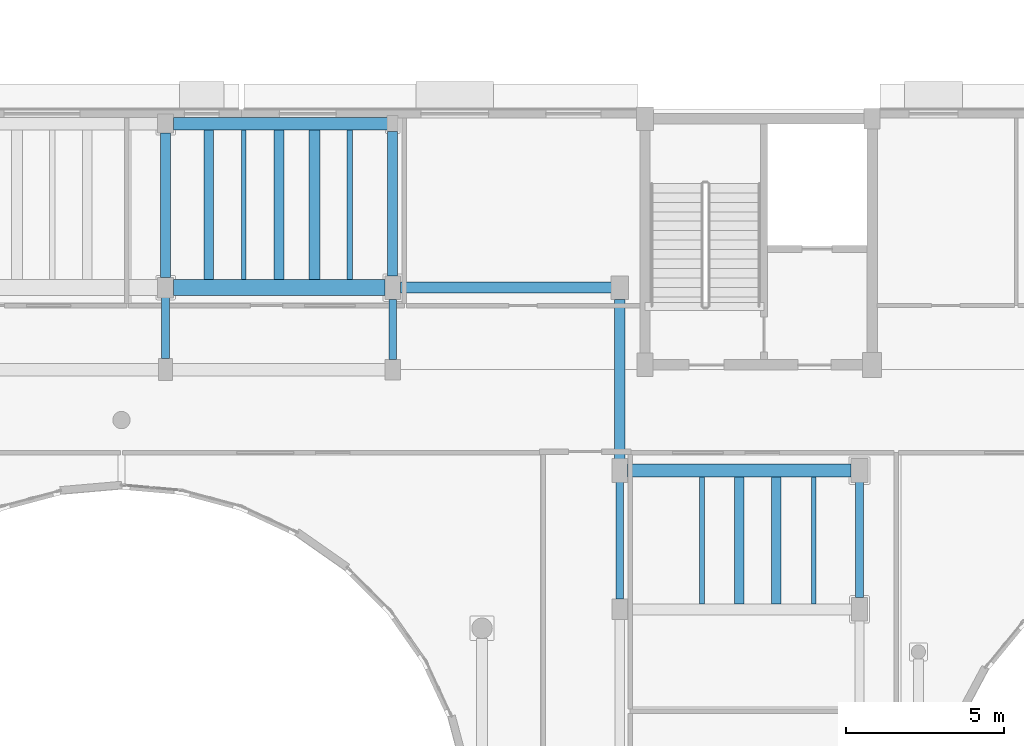
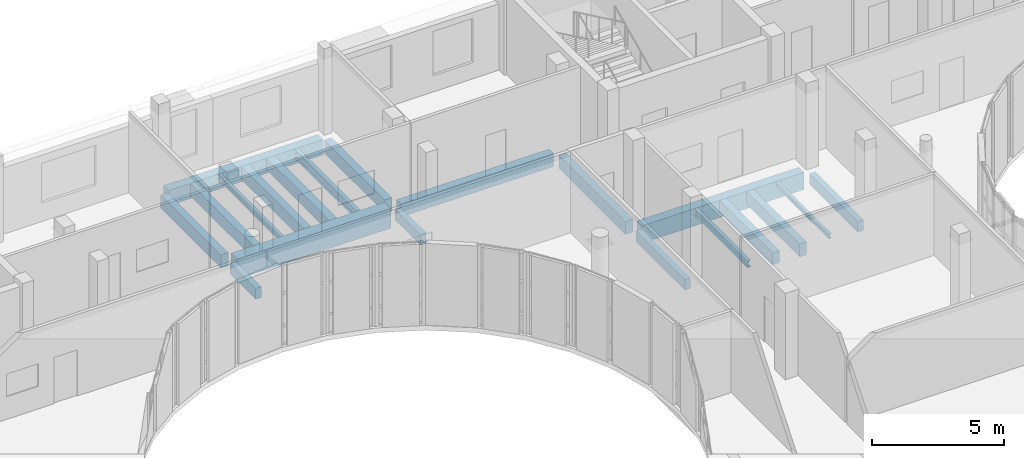
# One storey, part 45 of 105: 20 beams.
"""IFC4 building model written with IfcOpenShell, lengths in metres."""

from ifc_helpers import new_model, si_unit, direction, frame, origin, origin_2d, place, context, subcontext, project, spatial, rectangle, i_section, extrude, material, material_profile, profile_set, type_object, element, save


model = new_model("IFC4")

# Units and contexts
model_context = context("Model", 3, precision=1e-05, world=origin(), true_north=direction((0.0, 1.0)))
body_context = subcontext(model_context, "Body", "Model", "MODEL_VIEW")
ifc_project = project(units=[si_unit("LENGTHUNIT", "METRE"), si_unit("AREAUNIT", "SQUARE_METRE"), si_unit("VOLUMEUNIT", "CUBIC_METRE"), si_unit("PLANEANGLEUNIT", "RADIAN"), si_unit("MASSUNIT", "GRAM", prefix="KILO")], contexts=[model_context])

# Site, building, storey
site_placement = place(None, origin())
site = spatial("IfcSite", under=ifc_project, at=site_placement, CompositionType="ELEMENT")
building_placement = place(site_placement, origin())
building = spatial("IfcBuilding", under=site, at=building_placement, Name="Kelanivale Promenade Academy", CompositionType="ELEMENT")
storey_placement = place(building_placement, frame((0.0, 0.0, 4.199951171875)))
storey = spatial("IfcBuildingStorey", under=building, at=storey_placement, Name="L01", CompositionType="ELEMENT", Elevation=4.199951171875)

# Beams
ifc_material_1 = material(Name="Concrete C35/45", Category="concrete")
ifc_material_profile_1 = material_profile(ifc_material_1, rectangle(XDim=0.39990234375, YDim=0.699951171875, at=origin_2d()), Name="RC-BM 400x700")
ifc_profile_set_1 = profile_set([ifc_material_profile_1], Name="Concrete C35/45")
beam_type_1 = type_object("IfcBeamType", Name="BM-02 RC-BM 400x700", PredefinedType="BEAM", material=ifc_profile_set_1)
beam_1_placement = place(storey_placement, frame((65.044921875, 79.39990234375, -0.570068359375), z_axis=(1.0, 0.0, 0.0), x_axis=(0.0, 1.0, 0.0)))
element("IfcBeam", 1, at=beam_1_placement, inside=storey, type_object=beam_type_1, Name="L01 girder BM-02", PredefinedType="BEAM", context=body_context, shape_type="SweptSolid", body=[
    extrude(rectangle(XDim=0.39990234375, YDim=0.699951171875, at=origin_2d()), origin(), (0.0, 0.0, 1.0), 6.78515625),
])
ifc_material_profile_2 = material_profile(ifc_material_1, rectangle(XDim=0.5, YDim=0.89990234375, at=origin_2d()), Name="RC-BM 500x900")
ifc_profile_set_2 = profile_set([ifc_material_profile_2], Name="Concrete C35/45")
beam_type_2 = type_object("IfcBeamType", Name="BM-08 RC-BM 500x900", PredefinedType="BEAM", material=ifc_profile_set_2)
beam_2_placement = place(storey_placement, frame((65.044921875, 74.199951171875, -0.669921875), z_axis=(1.0, 0.0, 0.0), x_axis=(0.0, 1.0, 0.0)))
element("IfcBeam", 2, at=beam_2_placement, inside=storey, type_object=beam_type_2, Name="L01 girder BM-08", PredefinedType="BEAM", context=body_context, shape_type="SweptSolid", body=[
    extrude(rectangle(XDim=0.5, YDim=0.89990234375, at=origin_2d()), origin(), (0.0, 0.0, 1.0), 6.7099609375),
])
ifc_material_profile_3 = material_profile(ifc_material_1, rectangle(XDim=0.35009765625, YDim=0.60009765625, at=origin_2d()), Name="RC-BM 350x600")
ifc_profile_set_3 = profile_set([ifc_material_profile_3], Name="Concrete C35/45")
beam_type_3 = type_object("IfcBeamType", Name="BM-09 RC-BM 350x600", PredefinedType="BEAM", material=ifc_profile_set_3)
beam_3_placement = place(storey_placement, frame((72.2451171875, 74.199951171875, -0.52001953125), z_axis=(1.0, 0.0, 0.0), x_axis=(0.0, 1.0, 0.0)))
element("IfcBeam", 3, at=beam_3_placement, inside=storey, type_object=beam_type_3, Name="L01 girder BM-09", PredefinedType="BEAM", context=body_context, shape_type="SweptSolid", body=[
    extrude(rectangle(XDim=0.35009765625, YDim=0.60009765625, at=origin_2d()), origin(), (0.0, 0.0, 1.0), 6.684814453125),
])
ifc_material_profile_4 = material_profile(ifc_material_1, rectangle(XDim=0.39990234375, YDim=0.800048828125, at=origin_2d()), Name="RC-BM 400x800")
ifc_profile_set_4 = profile_set([ifc_material_profile_4], Name="Concrete C35/45")
beam_type_4 = type_object("IfcBeamType", Name="BM-14 RC-BM 400x800", PredefinedType="BEAM", material=ifc_profile_set_4)
beam_4_placement = place(storey_placement, frame((79.445068359375, 68.39990234375, -0.619873046875), z_axis=(1.0, 0.0, 0.0), x_axis=(0.0, 1.0, 0.0)))
element("IfcBeam", 4, at=beam_4_placement, inside=storey, type_object=beam_type_4, Name="L01 girder BM-14", PredefinedType="BEAM", context=body_context, shape_type="SweptSolid", body=[
    extrude(rectangle(XDim=0.39990234375, YDim=0.800048828125, at=origin_2d()), origin(), (0.0, 0.0, 1.0), 7.0849609375),
])
ifc_material_profile_5 = material_profile(ifc_material_1, rectangle(XDim=0.300048828125, YDim=0.550048828125, at=origin_2d()), Name="RC-BM 300x550")
ifc_profile_set_5 = profile_set([ifc_material_profile_5], Name="Concrete C35/45")
beam_type_5 = type_object("IfcBeamType", Name="JS-02 RC-BM 300x550", PredefinedType="JOIST", material=ifc_profile_set_5)
beam_5_placement = place(storey_placement, frame((82.987060546875, 64.175048828125, -0.494873046875), z_axis=(0.0, 1.0, 0.0), x_axis=(-1.0, 0.0, 0.0)))
element("IfcBeam", 5, at=beam_5_placement, inside=storey, type_object=beam_type_5, Name="L01 secondary sub-beam JS-02", PredefinedType="JOIST", context=body_context, shape_type="SweptSolid", body=[
    extrude(rectangle(XDim=0.300048828125, YDim=0.550048828125, at=origin_2d()), origin(), (0.0, 0.0, 1.0), 4.02490234375),
])
ifc_material_profile_6 = material_profile(ifc_material_1, rectangle(XDim=0.300048828125, YDim=0.60009765625, at=origin_2d()), Name="RC-BM 300x600")
ifc_profile_set_6 = profile_set([ifc_material_profile_6], Name="Concrete C35/45")
beam_type_6 = type_object("IfcBeamType", Name="JS-03 RC-BM 300x600", PredefinedType="JOIST", material=ifc_profile_set_6)
beam_6_placement = place(storey_placement, frame((84.16796875, 64.175048828125, -0.52001953125), z_axis=(0.0, 1.0, 0.0), x_axis=(-1.0, 0.0, 0.0)))
element("IfcBeam", 6, at=beam_6_placement, inside=storey, type_object=beam_type_6, Name="L01 secondary sub-beam JS-03", PredefinedType="JOIST", context=body_context, shape_type="SweptSolid", body=[
    extrude(rectangle(XDim=0.300048828125, YDim=0.60009765625, at=origin_2d()), origin(), (0.0, 0.0, 1.0), 4.02490234375),
])
beam_7_placement = place(storey_placement, frame((66.1630859375, 74.449951171875, -0.52001953125), z_axis=(0.0, 1.0, 0.0), x_axis=(-1.0, 0.0, 0.0)))
element("IfcBeam", 7, at=beam_7_placement, inside=storey, type_object=beam_type_6, Name="L01 secondary sub-beam JS-03", PredefinedType="JOIST", context=body_context, shape_type="SweptSolid", body=[
    extrude(rectangle(XDim=0.300048828125, YDim=0.60009765625, at=origin_2d()), origin(), (0.0, 0.0, 1.0), 4.75),
])
ifc_material_profile_7 = material_profile(ifc_material_1, rectangle(XDim=0.320068359375, YDim=0.60009765625, at=origin_2d()), Name="RC-BM 320x600")
ifc_profile_set_7 = profile_set([ifc_material_profile_7], Name="Concrete C35/45")
beam_type_7 = type_object("IfcBeamType", Name="JS-05 RC-BM 320x600", PredefinedType="JOIST", material=ifc_profile_set_7)
for number, where, z_axis, x_axis, name in (
    (8, (64.800048828125, 74.52001953125, -0.52001953125), (0.0, 1.0, 0.0), (-1.0, 0.0, 0.0), "L01 beam JS-05"),
    (9, (72.0, 74.570068359375, -0.52001953125), (0.0, 1.0, 0.0), (-1.0, 0.0, 0.0), "L01 beam JS-05"),
):
    element("IfcBeam", number, at=place(storey_placement, frame(where, z_axis=z_axis, x_axis=x_axis)), inside=storey, type_object=beam_type_7, Name=name, PredefinedType="JOIST", context=body_context, shape_type="SweptSolid", body=[
        extrude(rectangle(XDim=0.320068359375, YDim=0.60009765625, at=origin_2d()), origin(), (0.0, 0.0, 1.0), 4.5849609375),
    ])
beam_8_placement = place(storey_placement, frame((79.199951171875, 68.77001953125, -0.52001953125), z_axis=(0.0, 1.0, 0.0), x_axis=(-1.0, 0.0, 0.0)))
element("IfcBeam", 10, at=beam_8_placement, inside=storey, type_object=beam_type_7, Name="L01 beam JS-05", PredefinedType="JOIST", context=body_context, shape_type="SweptSolid", body=[
    extrude(rectangle(XDim=0.320068359375, YDim=0.60009765625, at=origin_2d()), origin(), (0.0, 0.0, 1.0), 5.06005859375),
])
beam_9_placement = place(storey_placement, frame((68.39990234375, 74.449951171875, -0.52001953125), z_axis=(0.0, 1.0, 0.0), x_axis=(-1.0, 0.0, 0.0)))
element("IfcBeam", 11, at=beam_9_placement, inside=storey, type_object=beam_type_7, Name="L01 secondary sub-beam JS-05", PredefinedType="JOIST", context=body_context, shape_type="SweptSolid", body=[
    extrude(rectangle(XDim=0.320068359375, YDim=0.60009765625, at=origin_2d()), origin(), (0.0, 0.0, 1.0), 4.75),
])
ifc_material_profile_8 = material_profile(ifc_material_1, rectangle(XDim=0.35009765625, YDim=0.550048828125, at=origin_2d()), Name="RC-BM 350x550")
ifc_profile_set_8 = profile_set([ifc_material_profile_8], Name="Concrete C35/45")
beam_type_8 = type_object("IfcBeamType", Name="JS-06 RC-BM 350x550", PredefinedType="JOIST", material=ifc_profile_set_8)
beam_10_placement = place(storey_placement, frame((69.51806640625, 74.449951171875, -0.494873046875), z_axis=(0.0, 1.0, 0.0), x_axis=(-1.0, 0.0, 0.0)))
element("IfcBeam", 12, at=beam_10_placement, inside=storey, type_object=beam_type_8, Name="L01 secondary sub-beam JS-06", PredefinedType="JOIST", context=body_context, shape_type="SweptSolid", body=[
    extrude(rectangle(XDim=0.35009765625, YDim=0.550048828125, at=origin_2d()), origin(), (0.0, 0.0, 1.0), 4.75),
])
ifc_material_profile_9 = material_profile(ifc_material_1, rectangle(XDim=0.25, YDim=0.5, at=origin_2d()), Name="RC-BM 250x500")
ifc_profile_set_9 = profile_set([ifc_material_profile_9], Name="Concrete C35/45")
beam_type_9 = type_object("IfcBeamType", Name="LN-02 RC-BM 250x500", PredefinedType="LINTEL", material=ifc_profile_set_9)
beam_11_placement = place(storey_placement, frame((64.800048828125, 71.945068359375, -0.469970703125), z_axis=(0.0, 1.0, 0.0), x_axis=(-1.0, 0.0, 0.0)))
element("IfcBeam", 13, at=beam_11_placement, inside=storey, type_object=beam_type_9, Name="L01 beam LN-02", PredefinedType="LINTEL", context=body_context, shape_type="SweptSolid", body=[
    extrude(rectangle(XDim=0.25, YDim=0.5, at=origin_2d()), origin(), (0.0, 0.0, 1.0), 1.934814453125),
])
beam_12_placement = place(storey_placement, frame((72.0, 71.919921875, -0.469970703125), z_axis=(0.0, 1.0, 0.0), x_axis=(-1.0, 0.0, 0.0)))
element("IfcBeam", 14, at=beam_12_placement, inside=storey, type_object=beam_type_9, Name="L01 beam LN-02", PredefinedType="LINTEL", context=body_context, shape_type="SweptSolid", body=[
    extrude(rectangle(XDim=0.25, YDim=0.5, at=origin_2d()), origin(), (0.0, 0.0, 1.0), 1.91015625),
])
beam_13_placement = place(storey_placement, frame((79.199951171875, 64.320068359375, -0.469970703125), z_axis=(0.0, 1.0, 0.0), x_axis=(-1.0, 0.0, 0.0)))
element("IfcBeam", 15, at=beam_13_placement, inside=storey, type_object=beam_type_9, Name="L01 beam LN-02", PredefinedType="LINTEL", context=body_context, shape_type="SweptSolid", body=[
    extrude(rectangle(XDim=0.25, YDim=0.5, at=origin_2d()), origin(), (0.0, 0.0, 1.0), 3.7099609375),
])
beam_14_placement = place(storey_placement, frame((86.800048828125, 64.3701171875, -0.469970703125), z_axis=(0.0, 1.0, 0.0), x_axis=(-1.0, 0.0, 0.0)))
element("IfcBeam", 16, at=beam_14_placement, inside=storey, type_object=beam_type_9, Name="L01 beam LN-02", PredefinedType="LINTEL", context=body_context, shape_type="SweptSolid", body=[
    extrude(rectangle(XDim=0.25, YDim=0.5, at=origin_2d()), origin(), (0.0, 0.0, 1.0), 3.659912109375),
])
ifc_material_2 = material(Name="Steel S355", Category="steel")
ifc_material_profile_10 = material_profile(ifc_material_2, i_section(OverallWidth=0.13330078125, OverallDepth=0.203125, WebThickness=0.005615234375, FlangeThickness=0.0078125, FilletRadius=0.007568359375, at=origin_2d()), Name="UB 203x133x25")
ifc_profile_set_10 = profile_set([ifc_material_profile_10], Name="Steel S355")
beam_type_10 = type_object("IfcBeamType", Name="SB-01 UB 203x133x25", PredefinedType="JOIST", material=ifc_profile_set_10)
beam_15_placement = place(storey_placement, frame((85.34912109375, 64.175048828125, -0.322021484375), z_axis=(0.0, 1.0, 0.0), x_axis=(-1.0, 0.0, 0.0)))
element("IfcBeam", 17, at=beam_15_placement, inside=storey, type_object=beam_type_10, Name="L01 secondary sub-beam SB-01", PredefinedType="JOIST", context=body_context, shape_type="SweptSolid", body=[
    extrude(i_section(OverallWidth=0.13330078125, OverallDepth=0.203125, WebThickness=0.005615234375, FlangeThickness=0.0078125, FilletRadius=0.007568359375, at=origin_2d()), origin(), (0.0, 0.0, 1.0), 4.02490234375),
])
ifc_material_profile_11 = material_profile(ifc_material_2, i_section(OverallWidth=0.14599609375, OverallDepth=0.25146484375, WebThickness=0.006103515625, FlangeThickness=0.008544921875, FilletRadius=0.007568359375, at=origin_2d()), Name="UB 254x146x31")
ifc_profile_set_11 = profile_set([ifc_material_profile_11], Name="Steel S355")
beam_type_11 = type_object("IfcBeamType", Name="SB-02 UB 254x146x31", PredefinedType="JOIST", material=ifc_profile_set_11)
beam_16_placement = place(storey_placement, frame((67.281982421875, 74.449951171875, -0.345947265625), z_axis=(0.0, 1.0, 0.0), x_axis=(-1.0, 0.0, 0.0)))
element("IfcBeam", 18, at=beam_16_placement, inside=storey, type_object=beam_type_11, Name="L01 secondary sub-beam SB-02", PredefinedType="JOIST", context=body_context, shape_type="SweptSolid", body=[
    extrude(i_section(OverallWidth=0.14599609375, OverallDepth=0.25146484375, WebThickness=0.006103515625, FlangeThickness=0.008544921875, FilletRadius=0.007568359375, at=origin_2d()), origin(), (0.0, 0.0, 1.0), 4.75),
])
ifc_material_profile_12 = material_profile(ifc_material_2, i_section(OverallWidth=0.1650390625, OverallDepth=0.303466796875, WebThickness=0.006103515625, FlangeThickness=0.01025390625, FilletRadius=0.0087890625, at=origin_2d()), Name="UB 305x165x40")
ifc_profile_set_12 = profile_set([ifc_material_profile_12], Name="Steel S355")
beam_type_12 = type_object("IfcBeamType", Name="SB-03 UB 305x165x40", PredefinedType="BEAM", material=ifc_profile_set_12)
beam_17_placement = place(storey_placement, frame((81.806884765625, 64.175048828125, -0.3720703125), z_axis=(0.0, 1.0, 0.0), x_axis=(-1.0, 0.0, 0.0)))
element("IfcBeam", 19, at=beam_17_placement, inside=storey, type_object=beam_type_12, Name="L01 secondary sub-beam SB-03", PredefinedType="BEAM", context=body_context, shape_type="SweptSolid", body=[
    extrude(i_section(OverallWidth=0.1650390625, OverallDepth=0.303466796875, WebThickness=0.006103515625, FlangeThickness=0.01025390625, FilletRadius=0.0087890625, at=origin_2d()), origin(), (0.0, 0.0, 1.0), 4.02490234375),
])
ifc_material_profile_13 = material_profile(ifc_material_2, i_section(OverallWidth=0.177978515625, OverallDepth=0.406494140625, WebThickness=0.0078125, FlangeThickness=0.0126953125, FilletRadius=0.01025390625, at=origin_2d()), Name="UB 406x178x60")
ifc_profile_set_13 = profile_set([ifc_material_profile_13], Name="Steel S355")
beam_type_13 = type_object("IfcBeamType", Name="SB-05 UB 406x178x60", PredefinedType="BEAM", material=ifc_profile_set_13)
beam_18_placement = place(storey_placement, frame((70.636962890625, 74.449951171875, -0.4228515625), z_axis=(0.0, 1.0, 0.0), x_axis=(-1.0, 0.0, 0.0)))
element("IfcBeam", 20, at=beam_18_placement, inside=storey, type_object=beam_type_13, Name="L01 secondary sub-beam SB-05", PredefinedType="BEAM", context=body_context, shape_type="SweptSolid", body=[
    extrude(i_section(OverallWidth=0.177978515625, OverallDepth=0.406494140625, WebThickness=0.0078125, FlangeThickness=0.0126953125, FilletRadius=0.01025390625, at=origin_2d()), origin(), (0.0, 0.0, 1.0), 4.75),
])

save(model, "model.ifc")
